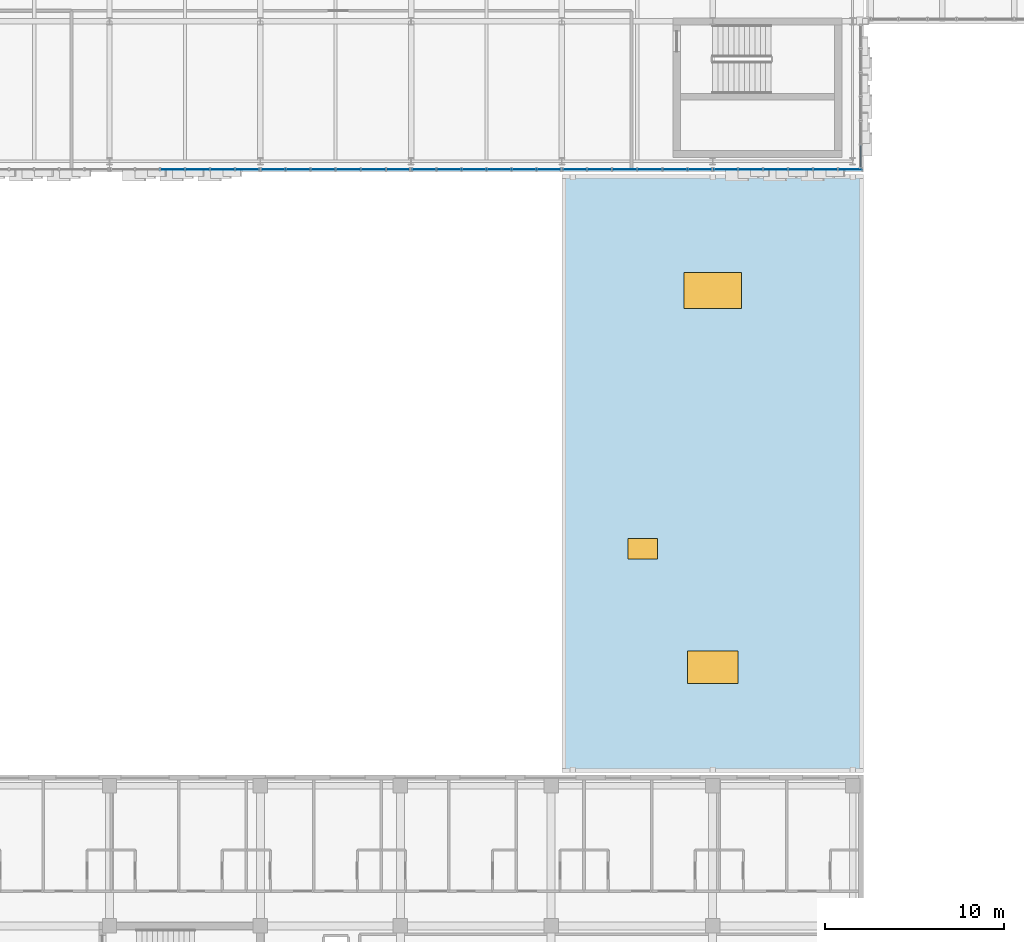
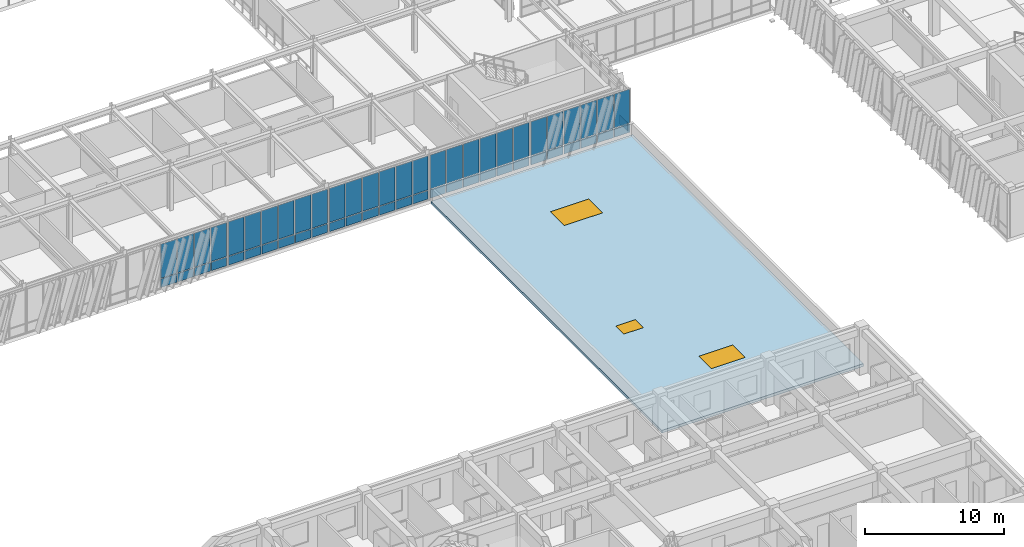
# One storey, part 85 of 127: 57 plates, 2 windows, 1 door, 1 slab, 3 openings, 6 elements without a shape of their own.
"""IFC4 building model written with IfcOpenShell, lengths in metres."""

from ifc_helpers import new_model, si_unit, direction, frame, origin, origin_2d, place, context, subcontext, project, spatial, polyline, rectangle, outline, extrude, material, layer, layer_set, type_object, element, fill, aggregate, save


model = new_model("IFC4")

# Units and contexts
model_context = context("Model", 3, precision=1e-05, world=origin(), true_north=direction((0.0, 1.0)))
body_context = subcontext(model_context, "Body", "Model", "MODEL_VIEW")
ifc_project = project(units=[si_unit("LENGTHUNIT", "METRE"), si_unit("AREAUNIT", "SQUARE_METRE"), si_unit("VOLUMEUNIT", "CUBIC_METRE"), si_unit("PLANEANGLEUNIT", "RADIAN"), si_unit("MASSUNIT", "GRAM", prefix="KILO")], contexts=[model_context])

# Site, building, storey
site_placement = place(None, origin())
site = spatial("IfcSite", under=ifc_project, at=site_placement, CompositionType="ELEMENT")
building_placement = place(site_placement, origin())
building = spatial("IfcBuilding", under=site, at=building_placement, Name="Zayran Congress Hotel", CompositionType="ELEMENT")
storey_placement = place(building_placement, frame((0.0, 0.0, 10.800048828125)))
storey = spatial("IfcBuildingStorey", under=building, at=storey_placement, Name="L02", CompositionType="ELEMENT", Elevation=10.800048828125)

# Slab, openings, windows, door
ifc_material_1 = material(Name="Concrete C32/40", Category="concrete")
ifc_layer_1 = layer(ifc_material_1, 0.239990234375)
ifc_layer_set_1 = layer_set([ifc_layer_1], Name="Concrete C32/40")
slab_type = type_object("IfcSlabType", Name="SL-RF-240", PredefinedType="ROOF", material=ifc_layer_set_1)
slab_placement = place(storey_placement, frame((0.0, 0.0, -0.239990234375)))
slab = element("IfcSlab", 1, at=slab_placement, inside=storey, type_object=slab_type, Name="SLB-BR2-ROOF", PredefinedType="ROOF", context=body_context, shape_type="SweptSolid", body=[
    extrude(outline(polyline([(75.60009765625, 34.14990234375), (92.39990234375, 34.14990234375), (92.39990234375, 67.449951171875), (75.60009765625, 67.449951171875), (75.60009765625, 34.14990234375)])), origin(), (0.0, 0.0, 1.0), 0.239990234375),
])
opening_1_placement = place(slab_placement, frame((80.10009765625, 46.60009765625, -0.010009765625), z_axis=(0.0, 0.0, 1.0), x_axis=(1.0, 0.0, 0.0)))
opening_1 = element("IfcOpeningElement", 2, at=opening_1_placement, cuts=slab, Name="Opening DR-HTCH-04", PredefinedType="OPENING", context=body_context, shape_type="SweptSolid", body=[
    extrude(rectangle(XDim=1.64990234375, YDim=1.14990234375, at=origin_2d()), origin(), (0.0, 0.0, 1.0), 0.260009765625),
])
opening_2_placement = place(slab_placement, frame((84.0, 40.0, -0.010009765625), z_axis=(0.0, 0.0, 1.0), x_axis=(1.0, 0.0, 0.0)))
opening_2 = element("IfcOpeningElement", 3, at=opening_2_placement, cuts=slab, Name="Opening WIN-SKY-08", PredefinedType="OPENING", context=body_context, shape_type="SweptSolid", body=[
    extrude(rectangle(XDim=2.800048828125, YDim=1.800048828125, at=origin_2d()), origin(), (0.0, 0.0, 1.0), 0.260009765625),
])
opening_3_placement = place(slab_placement, frame((84.0, 61.0, -0.010009765625), z_axis=(0.0, 0.0, 1.0), x_axis=(1.0, 0.0, 0.0)))
opening_3 = element("IfcOpeningElement", 4, at=opening_3_placement, cuts=slab, Name="Opening WIN-SKY-09", PredefinedType="OPENING", context=body_context, shape_type="SweptSolid", body=[
    extrude(rectangle(XDim=3.199951171875, YDim=2.0, at=origin_2d()), origin(), (0.0, 0.0, 1.0), 0.260009765625),
])
ifc_material_2 = material(Name="Anodised aluminium and low-E insulated glass", Category="aluminium")
window_type_1 = type_object("IfcWindowType", Name="TP-SK-02", PartitioningType="SINGLE_PANEL", PredefinedType="SKYLIGHT", material=ifc_material_2)
window_1_placement = place(opening_2_placement, frame((0.0, 0.0, 0.199951171875)))
window_1 = element("IfcWindow", 5, at=window_1_placement, inside=storey, type_object=window_type_1, Name="Roof Skylight 08", OverallHeight=1.800048828125, OverallWidth=2.800048828125, PartitioningType="SINGLE_PANEL", PredefinedType="SKYLIGHT", context=body_context, shape_type="SweptSolid", body=[
    extrude(rectangle(XDim=2.800048828125, YDim=1.800048828125, at=origin_2d()), origin(), (0.0, 0.0, 1.0), 0.050048828125),
])
fill(opening_2, window_1)
window_type_2 = type_object("IfcWindowType", Name="TP-SK-03", PartitioningType="SINGLE_PANEL", PredefinedType="SKYLIGHT", material=ifc_material_2)
window_2_placement = place(opening_3_placement, frame((0.0, 0.0, 0.199951171875)))
window_2 = element("IfcWindow", 6, at=window_2_placement, inside=storey, type_object=window_type_2, Name="Roof Skylight 09", OverallHeight=2.0, OverallWidth=3.199951171875, PartitioningType="SINGLE_PANEL", PredefinedType="SKYLIGHT", context=body_context, shape_type="SweptSolid", body=[
    extrude(rectangle(XDim=3.199951171875, YDim=2.0, at=origin_2d()), origin(), (0.0, 0.0, 1.0), 0.050048828125),
])
fill(opening_3, window_2)
ifc_material_3 = material(Name="Insulated aluminium penthouse roof hatch", Category="aluminium")
door_type = type_object("IfcDoorType", Name="TP-RH-03", OperationType="SINGLE_SWING_LEFT", PredefinedType="TRAPDOOR", material=ifc_material_3)
door_placement = place(opening_1_placement, frame((0.0, 0.0, 0.199951171875)))
door = element("IfcDoor", 7, at=door_placement, inside=storey, type_object=door_type, Name="Roof Access Hatch 04", OperationType="SINGLE_SWING_LEFT", OverallHeight=1.14990234375, OverallWidth=1.64990234375, PredefinedType="TRAPDOOR", context=body_context, shape_type="SweptSolid", body=[
    extrude(rectangle(XDim=1.64990234375, YDim=1.14990234375, at=origin_2d()), origin(), (0.0, 0.0, 1.0), 0.050048828125),
])
fill(opening_1, door)

# Curtain wall, plates
ifc_layer_2 = layer(ifc_material_2, 0.179931640625)
ifc_layer_set_2 = layer_set([ifc_layer_2], Name="Anodised aluminium and low-E insulated glass")
curtain_wall_type_1 = type_object("IfcCurtainWallType", Name="CW-V1S-L02-CW-13-8380-3920", PredefinedType="USERDEFINED", material=ifc_layer_set_2)
curtain_wall_1_placement = place(storey_placement, origin())
curtain_wall_1 = element("IfcCurtainWall", 8, at=curtain_wall_1_placement, inside=storey, type_object=curtain_wall_type_1, Name="CW-V1S-L02-5", ObjectType="CURTAIN WALL", PredefinedType="USERDEFINED")
ifc_material_4 = material(Name="Insulated warm bronze aluminium spandrel panel", Category="aluminium")
ifc_layer_3 = layer(ifc_material_4, 0.06005859375)
ifc_layer_set_3 = layer_set([ifc_layer_3], Name="Insulated warm bronze aluminium spandrel panel")
plate_type_1 = type_object("IfcPlateType", Name="CWP-SP-1277-750", PredefinedType="CURTAIN_PANEL", material=ifc_layer_set_3)
plate_1_placement = place(storey_placement, frame((53.901611328125, 67.75, 0.06005859375), z_axis=(0.0, 0.0, 1.0), x_axis=(1.0, 0.0, 0.0)))
plate_1 = element("IfcPlate", 9, at=plate_1_placement, type_object=plate_type_1, Name="CW-13 Spandrel Panel 3", PredefinedType="CURTAIN_PANEL", context=body_context, shape_type="SweptSolid", body=[
    extrude(rectangle(XDim=1.316650390625, YDim=0.06005859375, at=origin_2d()), origin(), (0.0, 0.0, 1.0), 0.75),
])
plate_2_placement = place(storey_placement, frame((55.29833984375, 67.75, 0.06005859375), z_axis=(0.0, 0.0, 1.0), x_axis=(1.0, 0.0, 0.0)))
plate_2 = element("IfcPlate", 10, at=plate_2_placement, type_object=plate_type_1, Name="CW-13 Spandrel Panel 4", PredefinedType="CURTAIN_PANEL", context=body_context, shape_type="SweptSolid", body=[
    extrude(rectangle(XDim=1.316650390625, YDim=0.06005859375, at=origin_2d()), origin(), (0.0, 0.0, 1.0), 0.75),
])
plate_3_placement = place(storey_placement, frame((56.695068359375, 67.75, 0.06005859375), z_axis=(0.0, 0.0, 1.0), x_axis=(1.0, 0.0, 0.0)))
plate_3 = element("IfcPlate", 11, at=plate_3_placement, type_object=plate_type_1, Name="CW-13 Spandrel Panel 5", PredefinedType="CURTAIN_PANEL", context=body_context, shape_type="SweptSolid", body=[
    extrude(rectangle(XDim=1.316650390625, YDim=0.06005859375, at=origin_2d()), origin(), (0.0, 0.0, 1.0), 0.75),
])
plate_4_placement = place(storey_placement, frame((58.07177734375, 67.75, 0.06005859375), z_axis=(0.0, 0.0, 1.0), x_axis=(1.0, 0.0, 0.0)))
plate_4 = element("IfcPlate", 12, at=plate_4_placement, type_object=plate_type_1, Name="CW-13 Spandrel Panel 6", PredefinedType="CURTAIN_PANEL", context=body_context, shape_type="SweptSolid", body=[
    extrude(rectangle(XDim=1.276611328125, YDim=0.06005859375, at=origin_2d()), origin(), (0.0, 0.0, 1.0), 0.75),
])

ifc_layer_4 = layer(ifc_material_2, 0.179931640625)
ifc_layer_set_4 = layer_set([ifc_layer_4], Name="Anodised aluminium and low-E insulated glass")
curtain_wall_type_2 = type_object("IfcCurtainWallType", Name="CW-V1S-L02-CW-11-8380-3920", PredefinedType="USERDEFINED", material=ifc_layer_set_4)
curtain_wall_2_placement = place(storey_placement, origin())
curtain_wall_2 = element("IfcCurtainWall", 13, at=curtain_wall_2_placement, inside=storey, type_object=curtain_wall_type_2, Name="CW-V1S-L02-6", ObjectType="CURTAIN WALL", PredefinedType="USERDEFINED")
plate_5_placement = place(storey_placement, frame((59.5283203125, 67.75, 0.06005859375), z_axis=(0.0, 0.0, 1.0), x_axis=(1.0, 0.0, 0.0)))
plate_5 = element("IfcPlate", 14, at=plate_5_placement, type_object=plate_type_1, Name="CW-11 Spandrel Panel 1", PredefinedType="CURTAIN_PANEL", context=body_context, shape_type="SweptSolid", body=[
    extrude(rectangle(XDim=1.276611328125, YDim=0.06005859375, at=origin_2d()), origin(), (0.0, 0.0, 1.0), 0.75),
])
plate_6_placement = place(storey_placement, frame((60.905029296875, 67.75, 0.06005859375), z_axis=(0.0, 0.0, 1.0), x_axis=(1.0, 0.0, 0.0)))
plate_6 = element("IfcPlate", 15, at=plate_6_placement, type_object=plate_type_1, Name="CW-11 Spandrel Panel 2", PredefinedType="CURTAIN_PANEL", context=body_context, shape_type="SweptSolid", body=[
    extrude(rectangle(XDim=1.316650390625, YDim=0.06005859375, at=origin_2d()), origin(), (0.0, 0.0, 1.0), 0.75),
])
plate_7_placement = place(storey_placement, frame((62.3017578125, 67.75, 0.06005859375), z_axis=(0.0, 0.0, 1.0), x_axis=(1.0, 0.0, 0.0)))
plate_7 = element("IfcPlate", 16, at=plate_7_placement, type_object=plate_type_1, Name="CW-11 Spandrel Panel 3", PredefinedType="CURTAIN_PANEL", context=body_context, shape_type="SweptSolid", body=[
    extrude(rectangle(XDim=1.316650390625, YDim=0.06005859375, at=origin_2d()), origin(), (0.0, 0.0, 1.0), 0.75),
])
plate_8_placement = place(storey_placement, frame((63.6982421875, 67.75, 0.06005859375), z_axis=(0.0, 0.0, 1.0), x_axis=(1.0, 0.0, 0.0)))
plate_8 = element("IfcPlate", 17, at=plate_8_placement, type_object=plate_type_1, Name="CW-11 Spandrel Panel 4", PredefinedType="CURTAIN_PANEL", context=body_context, shape_type="SweptSolid", body=[
    extrude(rectangle(XDim=1.316650390625, YDim=0.06005859375, at=origin_2d()), origin(), (0.0, 0.0, 1.0), 0.75),
])
plate_9_placement = place(storey_placement, frame((65.094970703125, 67.75, 0.06005859375), z_axis=(0.0, 0.0, 1.0), x_axis=(1.0, 0.0, 0.0)))
plate_9 = element("IfcPlate", 18, at=plate_9_placement, type_object=plate_type_1, Name="CW-11 Spandrel Panel 5", PredefinedType="CURTAIN_PANEL", context=body_context, shape_type="SweptSolid", body=[
    extrude(rectangle(XDim=1.316650390625, YDim=0.06005859375, at=origin_2d()), origin(), (0.0, 0.0, 1.0), 0.75),
])
plate_10_placement = place(storey_placement, frame((66.4716796875, 67.75, 0.06005859375), z_axis=(0.0, 0.0, 1.0), x_axis=(1.0, 0.0, 0.0)))
plate_10 = element("IfcPlate", 19, at=plate_10_placement, type_object=plate_type_1, Name="CW-11 Spandrel Panel 6", PredefinedType="CURTAIN_PANEL", context=body_context, shape_type="SweptSolid", body=[
    extrude(rectangle(XDim=1.276611328125, YDim=0.06005859375, at=origin_2d()), origin(), (0.0, 0.0, 1.0), 0.75),
])

ifc_layer_5 = layer(ifc_material_2, 0.179931640625)
ifc_layer_set_5 = layer_set([ifc_layer_5], Name="Anodised aluminium and low-E insulated glass")
curtain_wall_type_3 = type_object("IfcCurtainWallType", Name="CW-V1S-L02-CW-12-8380-3920", PredefinedType="USERDEFINED", material=ifc_layer_set_5)
curtain_wall_3_placement = place(storey_placement, origin())
curtain_wall_3 = element("IfcCurtainWall", 20, at=curtain_wall_3_placement, inside=storey, type_object=curtain_wall_type_3, Name="CW-V1S-L02-7", ObjectType="CURTAIN WALL", PredefinedType="USERDEFINED")
plate_11_placement = place(storey_placement, frame((67.92822265625, 67.75, 0.06005859375), z_axis=(0.0, 0.0, 1.0), x_axis=(1.0, 0.0, 0.0)))
plate_11 = element("IfcPlate", 21, at=plate_11_placement, type_object=plate_type_1, Name="CW-12 Spandrel Panel 1", PredefinedType="CURTAIN_PANEL", context=body_context, shape_type="SweptSolid", body=[
    extrude(rectangle(XDim=1.276611328125, YDim=0.06005859375, at=origin_2d()), origin(), (0.0, 0.0, 1.0), 0.75),
])
plate_12_placement = place(storey_placement, frame((69.304931640625, 67.75, 0.06005859375), z_axis=(0.0, 0.0, 1.0), x_axis=(1.0, 0.0, 0.0)))
plate_12 = element("IfcPlate", 22, at=plate_12_placement, type_object=plate_type_1, Name="CW-12 Spandrel Panel 2", PredefinedType="CURTAIN_PANEL", context=body_context, shape_type="SweptSolid", body=[
    extrude(rectangle(XDim=1.316650390625, YDim=0.06005859375, at=origin_2d()), origin(), (0.0, 0.0, 1.0), 0.75),
])
plate_13_placement = place(storey_placement, frame((70.70166015625, 67.75, 0.06005859375), z_axis=(0.0, 0.0, 1.0), x_axis=(1.0, 0.0, 0.0)))
plate_13 = element("IfcPlate", 23, at=plate_13_placement, type_object=plate_type_1, Name="CW-12 Spandrel Panel 3", PredefinedType="CURTAIN_PANEL", context=body_context, shape_type="SweptSolid", body=[
    extrude(rectangle(XDim=1.316650390625, YDim=0.06005859375, at=origin_2d()), origin(), (0.0, 0.0, 1.0), 0.75),
])
plate_14_placement = place(storey_placement, frame((72.098388671875, 67.75, 0.06005859375), z_axis=(0.0, 0.0, 1.0), x_axis=(1.0, 0.0, 0.0)))
plate_14 = element("IfcPlate", 24, at=plate_14_placement, type_object=plate_type_1, Name="CW-12 Spandrel Panel 4", PredefinedType="CURTAIN_PANEL", context=body_context, shape_type="SweptSolid", body=[
    extrude(rectangle(XDim=1.316650390625, YDim=0.06005859375, at=origin_2d()), origin(), (0.0, 0.0, 1.0), 0.75),
])
plate_15_placement = place(storey_placement, frame((73.4951171875, 67.75, 0.06005859375), z_axis=(0.0, 0.0, 1.0), x_axis=(1.0, 0.0, 0.0)))
plate_15 = element("IfcPlate", 25, at=plate_15_placement, type_object=plate_type_1, Name="CW-12 Spandrel Panel 5", PredefinedType="CURTAIN_PANEL", context=body_context, shape_type="SweptSolid", body=[
    extrude(rectangle(XDim=1.316650390625, YDim=0.06005859375, at=origin_2d()), origin(), (0.0, 0.0, 1.0), 0.75),
])
plate_16_placement = place(storey_placement, frame((74.87158203125, 67.75, 0.06005859375), z_axis=(0.0, 0.0, 1.0), x_axis=(1.0, 0.0, 0.0)))
plate_16 = element("IfcPlate", 26, at=plate_16_placement, type_object=plate_type_1, Name="CW-12 Spandrel Panel 6", PredefinedType="CURTAIN_PANEL", context=body_context, shape_type="SweptSolid", body=[
    extrude(rectangle(XDim=1.276611328125, YDim=0.06005859375, at=origin_2d()), origin(), (0.0, 0.0, 1.0), 0.75),
])

curtain_wall_4_placement = place(storey_placement, origin())
curtain_wall_4 = element("IfcCurtainWall", 27, at=curtain_wall_4_placement, inside=storey, type_object=curtain_wall_type_1, Name="CW-V1S-L02-8", ObjectType="CURTAIN WALL", PredefinedType="USERDEFINED")
plate_17_placement = place(storey_placement, frame((76.328369140625, 67.75, 0.06005859375), z_axis=(0.0, 0.0, 1.0), x_axis=(1.0, 0.0, 0.0)))
plate_17 = element("IfcPlate", 28, at=plate_17_placement, type_object=plate_type_1, Name="CW-13 Spandrel Panel 1", PredefinedType="CURTAIN_PANEL", context=body_context, shape_type="SweptSolid", body=[
    extrude(rectangle(XDim=1.276611328125, YDim=0.06005859375, at=origin_2d()), origin(), (0.0, 0.0, 1.0), 0.75),
])
plate_18_placement = place(storey_placement, frame((77.705078125, 67.75, 0.06005859375), z_axis=(0.0, 0.0, 1.0), x_axis=(1.0, 0.0, 0.0)))
plate_18 = element("IfcPlate", 29, at=plate_18_placement, type_object=plate_type_1, Name="CW-13 Spandrel Panel 2", PredefinedType="CURTAIN_PANEL", context=body_context, shape_type="SweptSolid", body=[
    extrude(rectangle(XDim=1.316650390625, YDim=0.06005859375, at=origin_2d()), origin(), (0.0, 0.0, 1.0), 0.75),
])
plate_19_placement = place(storey_placement, frame((79.101806640625, 67.75, 0.06005859375), z_axis=(0.0, 0.0, 1.0), x_axis=(1.0, 0.0, 0.0)))
plate_19 = element("IfcPlate", 30, at=plate_19_placement, type_object=plate_type_1, Name="CW-13 Spandrel Panel 3", PredefinedType="CURTAIN_PANEL", context=body_context, shape_type="SweptSolid", body=[
    extrude(rectangle(XDim=1.316650390625, YDim=0.06005859375, at=origin_2d()), origin(), (0.0, 0.0, 1.0), 0.75),
])
plate_20_placement = place(storey_placement, frame((80.498291015625, 67.75, 0.06005859375), z_axis=(0.0, 0.0, 1.0), x_axis=(1.0, 0.0, 0.0)))
plate_20 = element("IfcPlate", 31, at=plate_20_placement, type_object=plate_type_1, Name="CW-13 Spandrel Panel 4", PredefinedType="CURTAIN_PANEL", context=body_context, shape_type="SweptSolid", body=[
    extrude(rectangle(XDim=1.316650390625, YDim=0.06005859375, at=origin_2d()), origin(), (0.0, 0.0, 1.0), 0.75),
])
plate_21_placement = place(storey_placement, frame((81.89501953125, 67.75, 0.06005859375), z_axis=(0.0, 0.0, 1.0), x_axis=(1.0, 0.0, 0.0)))
plate_21 = element("IfcPlate", 32, at=plate_21_placement, type_object=plate_type_1, Name="CW-13 Spandrel Panel 5", PredefinedType="CURTAIN_PANEL", context=body_context, shape_type="SweptSolid", body=[
    extrude(rectangle(XDim=1.316650390625, YDim=0.06005859375, at=origin_2d()), origin(), (0.0, 0.0, 1.0), 0.75),
])
plate_22_placement = place(storey_placement, frame((83.271728515625, 67.75, 0.06005859375), z_axis=(0.0, 0.0, 1.0), x_axis=(1.0, 0.0, 0.0)))
plate_22 = element("IfcPlate", 33, at=plate_22_placement, type_object=plate_type_1, Name="CW-13 Spandrel Panel 6", PredefinedType="CURTAIN_PANEL", context=body_context, shape_type="SweptSolid", body=[
    extrude(rectangle(XDim=1.276611328125, YDim=0.06005859375, at=origin_2d()), origin(), (0.0, 0.0, 1.0), 0.75),
])

curtain_wall_5_placement = place(storey_placement, origin())
curtain_wall_5 = element("IfcCurtainWall", 34, at=curtain_wall_5_placement, inside=storey, type_object=curtain_wall_type_2, Name="CW-V1S-L02-9", ObjectType="CURTAIN WALL", PredefinedType="USERDEFINED")
plate_23_placement = place(storey_placement, frame((84.728271484375, 67.75, 0.06005859375), z_axis=(0.0, 0.0, 1.0), x_axis=(1.0, 0.0, 0.0)))
plate_23 = element("IfcPlate", 35, at=plate_23_placement, type_object=plate_type_1, Name="CW-11 Spandrel Panel 1", PredefinedType="CURTAIN_PANEL", context=body_context, shape_type="SweptSolid", body=[
    extrude(rectangle(XDim=1.276611328125, YDim=0.06005859375, at=origin_2d()), origin(), (0.0, 0.0, 1.0), 0.75),
])
plate_24_placement = place(storey_placement, frame((86.10498046875, 67.75, 0.06005859375), z_axis=(0.0, 0.0, 1.0), x_axis=(1.0, 0.0, 0.0)))
plate_24 = element("IfcPlate", 36, at=plate_24_placement, type_object=plate_type_1, Name="CW-11 Spandrel Panel 2", PredefinedType="CURTAIN_PANEL", context=body_context, shape_type="SweptSolid", body=[
    extrude(rectangle(XDim=1.316650390625, YDim=0.06005859375, at=origin_2d()), origin(), (0.0, 0.0, 1.0), 0.75),
])
plate_25_placement = place(storey_placement, frame((87.501708984375, 67.75, 0.06005859375), z_axis=(0.0, 0.0, 1.0), x_axis=(1.0, 0.0, 0.0)))
plate_25 = element("IfcPlate", 37, at=plate_25_placement, type_object=plate_type_1, Name="CW-11 Spandrel Panel 3", PredefinedType="CURTAIN_PANEL", context=body_context, shape_type="SweptSolid", body=[
    extrude(rectangle(XDim=1.316650390625, YDim=0.06005859375, at=origin_2d()), origin(), (0.0, 0.0, 1.0), 0.75),
])
plate_26_placement = place(storey_placement, frame((88.898193359375, 67.75, 0.06005859375), z_axis=(0.0, 0.0, 1.0), x_axis=(1.0, 0.0, 0.0)))
plate_26 = element("IfcPlate", 38, at=plate_26_placement, type_object=plate_type_1, Name="CW-11 Spandrel Panel 4", PredefinedType="CURTAIN_PANEL", context=body_context, shape_type="SweptSolid", body=[
    extrude(rectangle(XDim=1.316650390625, YDim=0.06005859375, at=origin_2d()), origin(), (0.0, 0.0, 1.0), 0.75),
])
plate_27_placement = place(storey_placement, frame((90.294921875, 67.75, 0.06005859375), z_axis=(0.0, 0.0, 1.0), x_axis=(1.0, 0.0, 0.0)))
plate_27 = element("IfcPlate", 39, at=plate_27_placement, type_object=plate_type_1, Name="CW-11 Spandrel Panel 5", PredefinedType="CURTAIN_PANEL", context=body_context, shape_type="SweptSolid", body=[
    extrude(rectangle(XDim=1.316650390625, YDim=0.06005859375, at=origin_2d()), origin(), (0.0, 0.0, 1.0), 0.75),
])
plate_28_placement = place(storey_placement, frame((91.671630859375, 67.75, 0.06005859375), z_axis=(0.0, 0.0, 1.0), x_axis=(1.0, 0.0, 0.0)))
plate_28 = element("IfcPlate", 40, at=plate_28_placement, type_object=plate_type_1, Name="CW-11 Spandrel Panel 6", PredefinedType="CURTAIN_PANEL", context=body_context, shape_type="SweptSolid", body=[
    extrude(rectangle(XDim=1.276611328125, YDim=0.06005859375, at=origin_2d()), origin(), (0.0, 0.0, 1.0), 0.75),
])

# Curtain wall, plate
ifc_layer_6 = layer(ifc_material_2, 0.179931640625)
ifc_layer_set_6 = layer_set([ifc_layer_6], Name="Anodised aluminium and low-E insulated glass")
curtain_wall_type_4 = type_object("IfcCurtainWallType", Name="CW-V1E-L02-CW-41-8040-3920", PredefinedType="USERDEFINED", material=ifc_layer_set_6)
curtain_wall_6_placement = place(storey_placement, origin())
curtain_wall_6 = element("IfcCurtainWall", 41, at=curtain_wall_6_placement, inside=storey, type_object=curtain_wall_type_4, Name="CW-V1E-L02-0", ObjectType="CURTAIN WALL", PredefinedType="USERDEFINED")
ifc_layer_7 = layer(ifc_material_4, 0.06005859375)
ifc_layer_set_7 = layer_set([ifc_layer_7], Name="Insulated warm bronze aluminium spandrel panel")
plate_type_2 = type_object("IfcPlateType", Name="CWP-SP-1220-750", PredefinedType="CURTAIN_PANEL", material=ifc_layer_set_7)
plate_29_placement = place(storey_placement, frame((92.25, 68.469970703125, 0.06005859375), z_axis=(0.0, 0.0, 1.0), x_axis=(0.0, 1.0, 0.0)))
plate_29 = element("IfcPlate", 42, at=plate_29_placement, type_object=plate_type_2, Name="CW-41 Spandrel Panel 1", PredefinedType="CURTAIN_PANEL", context=body_context, shape_type="SweptSolid", body=[
    extrude(rectangle(XDim=1.219970703125, YDim=0.06005859375, at=origin_2d()), origin(), (0.0, 0.0, 1.0), 0.75),
])
aggregate(curtain_wall_6, [plate_29])

# Plate
ifc_layer_8 = layer(ifc_material_2, 0.028076171875)
ifc_layer_set_8 = layer_set([ifc_layer_8], Name="Anodised aluminium and low-E insulated glass")
plate_type_3 = type_object("IfcPlateType", Name="CWP-GL-1277-2990", PredefinedType="CURTAIN_PANEL", material=ifc_layer_set_8)
plate_30_placement = place(storey_placement, frame((53.901611328125, 67.75, 0.8701171875), z_axis=(0.0, 0.0, 1.0), x_axis=(1.0, 0.0, 0.0)))
plate_30 = element("IfcPlate", 43, at=plate_30_placement, type_object=plate_type_3, Name="CW-13 Glazed Panel 3", PredefinedType="CURTAIN_PANEL", context=body_context, shape_type="SweptSolid", body=[
    extrude(rectangle(XDim=1.316650390625, YDim=0.028076171875, at=origin_2d()), origin(), (0.0, 0.0, 1.0), 2.989990234375),
])

plate_31_placement = place(storey_placement, frame((55.29833984375, 67.75, 0.8701171875), z_axis=(0.0, 0.0, 1.0), x_axis=(1.0, 0.0, 0.0)))
plate_31 = element("IfcPlate", 44, at=plate_31_placement, type_object=plate_type_3, Name="CW-13 Glazed Panel 4", PredefinedType="CURTAIN_PANEL", context=body_context, shape_type="SweptSolid", body=[
    extrude(rectangle(XDim=1.316650390625, YDim=0.028076171875, at=origin_2d()), origin(), (0.0, 0.0, 1.0), 2.989990234375),
])

plate_32_placement = place(storey_placement, frame((56.695068359375, 67.75, 0.8701171875), z_axis=(0.0, 0.0, 1.0), x_axis=(1.0, 0.0, 0.0)))
plate_32 = element("IfcPlate", 45, at=plate_32_placement, type_object=plate_type_3, Name="CW-13 Glazed Panel 5", PredefinedType="CURTAIN_PANEL", context=body_context, shape_type="SweptSolid", body=[
    extrude(rectangle(XDim=1.316650390625, YDim=0.028076171875, at=origin_2d()), origin(), (0.0, 0.0, 1.0), 2.989990234375),
])

plate_33_placement = place(storey_placement, frame((58.07177734375, 67.75, 0.8701171875), z_axis=(0.0, 0.0, 1.0), x_axis=(1.0, 0.0, 0.0)))
plate_33 = element("IfcPlate", 46, at=plate_33_placement, type_object=plate_type_3, Name="CW-13 Glazed Panel 6", PredefinedType="CURTAIN_PANEL", context=body_context, shape_type="SweptSolid", body=[
    extrude(rectangle(XDim=1.276611328125, YDim=0.028076171875, at=origin_2d()), origin(), (0.0, 0.0, 1.0), 2.989990234375),
])

aggregate(curtain_wall_1, [plate_1, plate_30, plate_2, plate_31, plate_3, plate_32, plate_4, plate_33])

plate_34_placement = place(storey_placement, frame((59.5283203125, 67.75, 0.8701171875), z_axis=(0.0, 0.0, 1.0), x_axis=(1.0, 0.0, 0.0)))
plate_34 = element("IfcPlate", 47, at=plate_34_placement, type_object=plate_type_3, Name="CW-11 Glazed Panel 1", PredefinedType="CURTAIN_PANEL", context=body_context, shape_type="SweptSolid", body=[
    extrude(rectangle(XDim=1.276611328125, YDim=0.028076171875, at=origin_2d()), origin(), (0.0, 0.0, 1.0), 2.989990234375),
])

plate_35_placement = place(storey_placement, frame((60.905029296875, 67.75, 0.8701171875), z_axis=(0.0, 0.0, 1.0), x_axis=(1.0, 0.0, 0.0)))
plate_35 = element("IfcPlate", 48, at=plate_35_placement, type_object=plate_type_3, Name="CW-11 Glazed Panel 2", PredefinedType="CURTAIN_PANEL", context=body_context, shape_type="SweptSolid", body=[
    extrude(rectangle(XDim=1.316650390625, YDim=0.028076171875, at=origin_2d()), origin(), (0.0, 0.0, 1.0), 2.989990234375),
])

plate_36_placement = place(storey_placement, frame((62.3017578125, 67.75, 0.8701171875), z_axis=(0.0, 0.0, 1.0), x_axis=(1.0, 0.0, 0.0)))
plate_36 = element("IfcPlate", 49, at=plate_36_placement, type_object=plate_type_3, Name="CW-11 Glazed Panel 3", PredefinedType="CURTAIN_PANEL", context=body_context, shape_type="SweptSolid", body=[
    extrude(rectangle(XDim=1.316650390625, YDim=0.028076171875, at=origin_2d()), origin(), (0.0, 0.0, 1.0), 2.989990234375),
])

plate_37_placement = place(storey_placement, frame((63.6982421875, 67.75, 0.8701171875), z_axis=(0.0, 0.0, 1.0), x_axis=(1.0, 0.0, 0.0)))
plate_37 = element("IfcPlate", 50, at=plate_37_placement, type_object=plate_type_3, Name="CW-11 Glazed Panel 4", PredefinedType="CURTAIN_PANEL", context=body_context, shape_type="SweptSolid", body=[
    extrude(rectangle(XDim=1.316650390625, YDim=0.028076171875, at=origin_2d()), origin(), (0.0, 0.0, 1.0), 2.989990234375),
])

plate_38_placement = place(storey_placement, frame((65.094970703125, 67.75, 0.8701171875), z_axis=(0.0, 0.0, 1.0), x_axis=(1.0, 0.0, 0.0)))
plate_38 = element("IfcPlate", 51, at=plate_38_placement, type_object=plate_type_3, Name="CW-11 Glazed Panel 5", PredefinedType="CURTAIN_PANEL", context=body_context, shape_type="SweptSolid", body=[
    extrude(rectangle(XDim=1.316650390625, YDim=0.028076171875, at=origin_2d()), origin(), (0.0, 0.0, 1.0), 2.989990234375),
])

plate_39_placement = place(storey_placement, frame((66.4716796875, 67.75, 0.8701171875), z_axis=(0.0, 0.0, 1.0), x_axis=(1.0, 0.0, 0.0)))
plate_39 = element("IfcPlate", 52, at=plate_39_placement, type_object=plate_type_3, Name="CW-11 Glazed Panel 6", PredefinedType="CURTAIN_PANEL", context=body_context, shape_type="SweptSolid", body=[
    extrude(rectangle(XDim=1.276611328125, YDim=0.028076171875, at=origin_2d()), origin(), (0.0, 0.0, 1.0), 2.989990234375),
])

aggregate(curtain_wall_2, [plate_5, plate_34, plate_6, plate_35, plate_7, plate_36, plate_8, plate_37, plate_9, plate_38, plate_10, plate_39])

plate_40_placement = place(storey_placement, frame((67.92822265625, 67.75, 0.8701171875), z_axis=(0.0, 0.0, 1.0), x_axis=(1.0, 0.0, 0.0)))
plate_40 = element("IfcPlate", 53, at=plate_40_placement, type_object=plate_type_3, Name="CW-12 Glazed Panel 1", PredefinedType="CURTAIN_PANEL", context=body_context, shape_type="SweptSolid", body=[
    extrude(rectangle(XDim=1.276611328125, YDim=0.028076171875, at=origin_2d()), origin(), (0.0, 0.0, 1.0), 2.989990234375),
])

plate_41_placement = place(storey_placement, frame((69.304931640625, 67.75, 0.8701171875), z_axis=(0.0, 0.0, 1.0), x_axis=(1.0, 0.0, 0.0)))
plate_41 = element("IfcPlate", 54, at=plate_41_placement, type_object=plate_type_3, Name="CW-12 Glazed Panel 2", PredefinedType="CURTAIN_PANEL", context=body_context, shape_type="SweptSolid", body=[
    extrude(rectangle(XDim=1.316650390625, YDim=0.028076171875, at=origin_2d()), origin(), (0.0, 0.0, 1.0), 2.989990234375),
])

plate_42_placement = place(storey_placement, frame((70.70166015625, 67.75, 0.8701171875), z_axis=(0.0, 0.0, 1.0), x_axis=(1.0, 0.0, 0.0)))
plate_42 = element("IfcPlate", 55, at=plate_42_placement, type_object=plate_type_3, Name="CW-12 Glazed Panel 3", PredefinedType="CURTAIN_PANEL", context=body_context, shape_type="SweptSolid", body=[
    extrude(rectangle(XDim=1.316650390625, YDim=0.028076171875, at=origin_2d()), origin(), (0.0, 0.0, 1.0), 2.989990234375),
])

plate_43_placement = place(storey_placement, frame((72.098388671875, 67.75, 0.8701171875), z_axis=(0.0, 0.0, 1.0), x_axis=(1.0, 0.0, 0.0)))
plate_43 = element("IfcPlate", 56, at=plate_43_placement, type_object=plate_type_3, Name="CW-12 Glazed Panel 4", PredefinedType="CURTAIN_PANEL", context=body_context, shape_type="SweptSolid", body=[
    extrude(rectangle(XDim=1.316650390625, YDim=0.028076171875, at=origin_2d()), origin(), (0.0, 0.0, 1.0), 2.989990234375),
])

plate_44_placement = place(storey_placement, frame((73.4951171875, 67.75, 0.8701171875), z_axis=(0.0, 0.0, 1.0), x_axis=(1.0, 0.0, 0.0)))
plate_44 = element("IfcPlate", 57, at=plate_44_placement, type_object=plate_type_3, Name="CW-12 Glazed Panel 5", PredefinedType="CURTAIN_PANEL", context=body_context, shape_type="SweptSolid", body=[
    extrude(rectangle(XDim=1.316650390625, YDim=0.028076171875, at=origin_2d()), origin(), (0.0, 0.0, 1.0), 2.989990234375),
])

plate_45_placement = place(storey_placement, frame((74.87158203125, 67.75, 0.8701171875), z_axis=(0.0, 0.0, 1.0), x_axis=(1.0, 0.0, 0.0)))
plate_45 = element("IfcPlate", 58, at=plate_45_placement, type_object=plate_type_3, Name="CW-12 Glazed Panel 6", PredefinedType="CURTAIN_PANEL", context=body_context, shape_type="SweptSolid", body=[
    extrude(rectangle(XDim=1.276611328125, YDim=0.028076171875, at=origin_2d()), origin(), (0.0, 0.0, 1.0), 2.989990234375),
])

aggregate(curtain_wall_3, [plate_11, plate_40, plate_12, plate_41, plate_13, plate_42, plate_14, plate_43, plate_15, plate_44, plate_16, plate_45])

plate_46_placement = place(storey_placement, frame((76.328369140625, 67.75, 0.8701171875), z_axis=(0.0, 0.0, 1.0), x_axis=(1.0, 0.0, 0.0)))
plate_46 = element("IfcPlate", 59, at=plate_46_placement, type_object=plate_type_3, Name="CW-13 Glazed Panel 1", PredefinedType="CURTAIN_PANEL", context=body_context, shape_type="SweptSolid", body=[
    extrude(rectangle(XDim=1.276611328125, YDim=0.028076171875, at=origin_2d()), origin(), (0.0, 0.0, 1.0), 2.989990234375),
])

plate_47_placement = place(storey_placement, frame((77.705078125, 67.75, 0.8701171875), z_axis=(0.0, 0.0, 1.0), x_axis=(1.0, 0.0, 0.0)))
plate_47 = element("IfcPlate", 60, at=plate_47_placement, type_object=plate_type_3, Name="CW-13 Glazed Panel 2", PredefinedType="CURTAIN_PANEL", context=body_context, shape_type="SweptSolid", body=[
    extrude(rectangle(XDim=1.316650390625, YDim=0.028076171875, at=origin_2d()), origin(), (0.0, 0.0, 1.0), 2.989990234375),
])

plate_48_placement = place(storey_placement, frame((79.101806640625, 67.75, 0.8701171875), z_axis=(0.0, 0.0, 1.0), x_axis=(1.0, 0.0, 0.0)))
plate_48 = element("IfcPlate", 61, at=plate_48_placement, type_object=plate_type_3, Name="CW-13 Glazed Panel 3", PredefinedType="CURTAIN_PANEL", context=body_context, shape_type="SweptSolid", body=[
    extrude(rectangle(XDim=1.316650390625, YDim=0.028076171875, at=origin_2d()), origin(), (0.0, 0.0, 1.0), 2.989990234375),
])

plate_49_placement = place(storey_placement, frame((80.498291015625, 67.75, 0.8701171875), z_axis=(0.0, 0.0, 1.0), x_axis=(1.0, 0.0, 0.0)))
plate_49 = element("IfcPlate", 62, at=plate_49_placement, type_object=plate_type_3, Name="CW-13 Glazed Panel 4", PredefinedType="CURTAIN_PANEL", context=body_context, shape_type="SweptSolid", body=[
    extrude(rectangle(XDim=1.316650390625, YDim=0.028076171875, at=origin_2d()), origin(), (0.0, 0.0, 1.0), 2.989990234375),
])

plate_50_placement = place(storey_placement, frame((81.89501953125, 67.75, 0.8701171875), z_axis=(0.0, 0.0, 1.0), x_axis=(1.0, 0.0, 0.0)))
plate_50 = element("IfcPlate", 63, at=plate_50_placement, type_object=plate_type_3, Name="CW-13 Glazed Panel 5", PredefinedType="CURTAIN_PANEL", context=body_context, shape_type="SweptSolid", body=[
    extrude(rectangle(XDim=1.316650390625, YDim=0.028076171875, at=origin_2d()), origin(), (0.0, 0.0, 1.0), 2.989990234375),
])

plate_51_placement = place(storey_placement, frame((83.271728515625, 67.75, 0.8701171875), z_axis=(0.0, 0.0, 1.0), x_axis=(1.0, 0.0, 0.0)))
plate_51 = element("IfcPlate", 64, at=plate_51_placement, type_object=plate_type_3, Name="CW-13 Glazed Panel 6", PredefinedType="CURTAIN_PANEL", context=body_context, shape_type="SweptSolid", body=[
    extrude(rectangle(XDim=1.276611328125, YDim=0.028076171875, at=origin_2d()), origin(), (0.0, 0.0, 1.0), 2.989990234375),
])

aggregate(curtain_wall_4, [plate_17, plate_46, plate_18, plate_47, plate_19, plate_48, plate_20, plate_49, plate_21, plate_50, plate_22, plate_51])

plate_52_placement = place(storey_placement, frame((84.728271484375, 67.75, 0.8701171875), z_axis=(0.0, 0.0, 1.0), x_axis=(1.0, 0.0, 0.0)))
plate_52 = element("IfcPlate", 65, at=plate_52_placement, type_object=plate_type_3, Name="CW-11 Glazed Panel 1", PredefinedType="CURTAIN_PANEL", context=body_context, shape_type="SweptSolid", body=[
    extrude(rectangle(XDim=1.276611328125, YDim=0.028076171875, at=origin_2d()), origin(), (0.0, 0.0, 1.0), 2.989990234375),
])

plate_53_placement = place(storey_placement, frame((86.10498046875, 67.75, 0.8701171875), z_axis=(0.0, 0.0, 1.0), x_axis=(1.0, 0.0, 0.0)))
plate_53 = element("IfcPlate", 66, at=plate_53_placement, type_object=plate_type_3, Name="CW-11 Glazed Panel 2", PredefinedType="CURTAIN_PANEL", context=body_context, shape_type="SweptSolid", body=[
    extrude(rectangle(XDim=1.316650390625, YDim=0.028076171875, at=origin_2d()), origin(), (0.0, 0.0, 1.0), 2.989990234375),
])

plate_54_placement = place(storey_placement, frame((87.501708984375, 67.75, 0.8701171875), z_axis=(0.0, 0.0, 1.0), x_axis=(1.0, 0.0, 0.0)))
plate_54 = element("IfcPlate", 67, at=plate_54_placement, type_object=plate_type_3, Name="CW-11 Glazed Panel 3", PredefinedType="CURTAIN_PANEL", context=body_context, shape_type="SweptSolid", body=[
    extrude(rectangle(XDim=1.316650390625, YDim=0.028076171875, at=origin_2d()), origin(), (0.0, 0.0, 1.0), 2.989990234375),
])

plate_55_placement = place(storey_placement, frame((88.898193359375, 67.75, 0.8701171875), z_axis=(0.0, 0.0, 1.0), x_axis=(1.0, 0.0, 0.0)))
plate_55 = element("IfcPlate", 68, at=plate_55_placement, type_object=plate_type_3, Name="CW-11 Glazed Panel 4", PredefinedType="CURTAIN_PANEL", context=body_context, shape_type="SweptSolid", body=[
    extrude(rectangle(XDim=1.316650390625, YDim=0.028076171875, at=origin_2d()), origin(), (0.0, 0.0, 1.0), 2.989990234375),
])

plate_56_placement = place(storey_placement, frame((90.294921875, 67.75, 0.8701171875), z_axis=(0.0, 0.0, 1.0), x_axis=(1.0, 0.0, 0.0)))
plate_56 = element("IfcPlate", 69, at=plate_56_placement, type_object=plate_type_3, Name="CW-11 Glazed Panel 5", PredefinedType="CURTAIN_PANEL", context=body_context, shape_type="SweptSolid", body=[
    extrude(rectangle(XDim=1.316650390625, YDim=0.028076171875, at=origin_2d()), origin(), (0.0, 0.0, 1.0), 2.989990234375),
])

plate_57_placement = place(storey_placement, frame((91.671630859375, 67.75, 0.8701171875), z_axis=(0.0, 0.0, 1.0), x_axis=(1.0, 0.0, 0.0)))
plate_57 = element("IfcPlate", 70, at=plate_57_placement, type_object=plate_type_3, Name="CW-11 Glazed Panel 6", PredefinedType="CURTAIN_PANEL", context=body_context, shape_type="SweptSolid", body=[
    extrude(rectangle(XDim=1.276611328125, YDim=0.028076171875, at=origin_2d()), origin(), (0.0, 0.0, 1.0), 2.989990234375),
])

aggregate(curtain_wall_5, [plate_23, plate_52, plate_24, plate_53, plate_25, plate_54, plate_26, plate_55, plate_27, plate_56, plate_28, plate_57])

save(model, "model.ifc")
